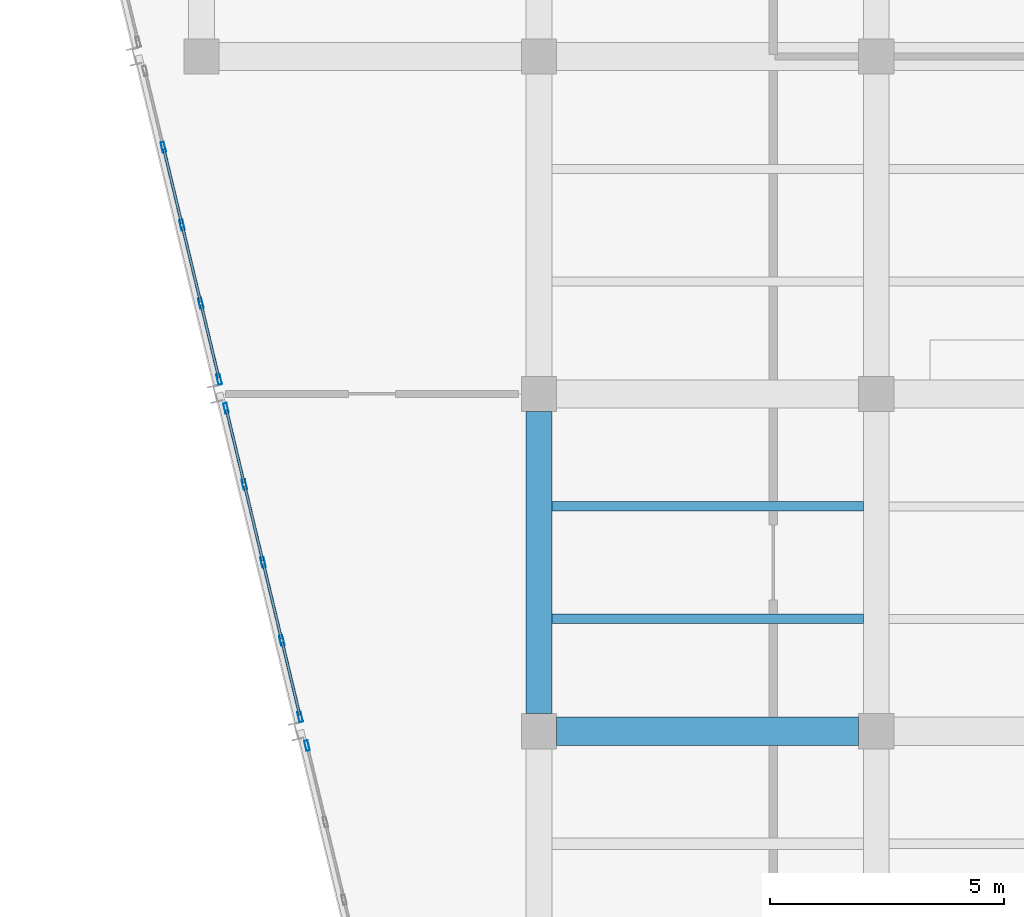
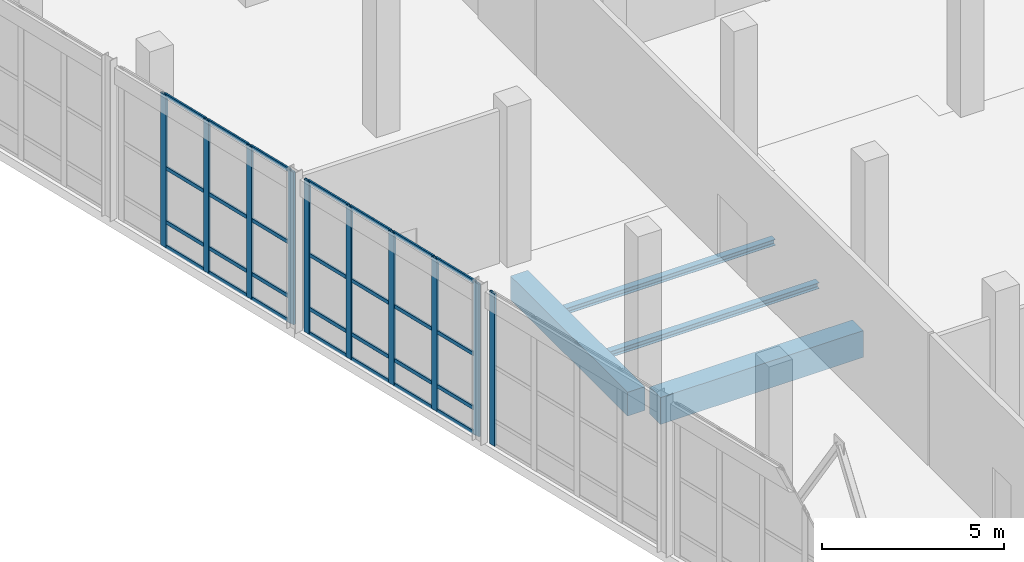
# One storey, part 75 of 137: 38 members, 4 beams, 3 elements without a shape of their own.
"""IFC4 building model written with IfcOpenShell, lengths in metres."""

from ifc_helpers import new_model, si_unit, direction, frame, origin, origin_2d, place, context, subcontext, project, spatial, rectangle, hollow_rectangle, i_section, extrude, material, material_profile, profile_set, type_object, element, aggregate, save


model = new_model("IFC4")

# Units and contexts
model_context = context("Model", 3, precision=1e-05, world=origin(), true_north=direction((0.0, 1.0)))
body_context = subcontext(model_context, "Body", "Model", "MODEL_VIEW")
ifc_project = project(units=[si_unit("LENGTHUNIT", "METRE"), si_unit("AREAUNIT", "SQUARE_METRE"), si_unit("VOLUMEUNIT", "CUBIC_METRE"), si_unit("PLANEANGLEUNIT", "RADIAN"), si_unit("MASSUNIT", "GRAM", prefix="KILO")], contexts=[model_context])

# Site, building, storey
site_placement = place(None, origin())
site = spatial("IfcSite", under=ifc_project, at=site_placement, CompositionType="ELEMENT")
building_placement = place(site_placement, origin())
building = spatial("IfcBuilding", under=site, at=building_placement, Name="Kalmorath City Hall", CompositionType="ELEMENT")
storey_placement = place(building_placement, origin())
storey = spatial("IfcBuildingStorey", under=building, at=storey_placement, Name="L00", CompositionType="ELEMENT", Elevation=0.0)

# Beams
ifc_material_1 = material(Name="Concrete C40/50", Category="concrete")
ifc_material_profile_1 = material_profile(ifc_material_1, rectangle(XDim=0.550048828125, YDim=0.800048828125, at=origin_2d()), Name="RC-BM-550X800")
ifc_profile_set_1 = profile_set([ifc_material_profile_1], Name="Concrete C40/50")
beam_type_1 = type_object("IfcBeamType", Name="Concrete floor girder 550x800", PredefinedType="BEAM", material=ifc_profile_set_1)
beam_1_placement = place(storey_placement, frame((136.800048828125, 65.175048828125, -0.7041015625), z_axis=(0.0, 1.0, 0.0), x_axis=(-1.0, 0.0, 0.0)))
element("IfcBeam", 1, at=beam_1_placement, inside=storey, type_object=beam_type_1, Name="L00 girder CB2 Y20/10-11", PredefinedType="BEAM", context=body_context, shape_type="SweptSolid", body=[
    extrude(rectangle(XDim=0.550048828125, YDim=0.800048828125, at=origin_2d()), origin(), (0.0, 0.0, 1.0), 6.449951171875),
])
ifc_material_2 = material(Name="Concrete C40/50", Category="concrete")
ifc_material_profile_2 = material_profile(ifc_material_2, rectangle(XDim=0.60009765625, YDim=0.89990234375, at=origin_2d()), Name="RC-BM-600X900")
ifc_profile_set_2 = profile_set([ifc_material_profile_2], Name="Concrete C40/50")
beam_type_2 = type_object("IfcBeamType", Name="Concrete floor girder 600x900", PredefinedType="BEAM", material=ifc_profile_set_2)
beam_2_placement = place(storey_placement, frame((137.175048828125, 64.800048828125, -0.75390625), z_axis=(1.0, 0.0, 0.0), x_axis=(0.0, 1.0, 0.0)))
element("IfcBeam", 2, at=beam_2_placement, inside=storey, type_object=beam_type_2, Name="L00 girder CB1 X20-21/10", PredefinedType="BEAM", context=body_context, shape_type="SweptSolid", body=[
    extrude(rectangle(XDim=0.60009765625, YDim=0.89990234375, at=origin_2d()), origin(), (0.0, 0.0, 1.0), 6.449951171875),
])

# Curtain wall, members
ifc_material_3 = material(Name="Anodised aluminium and laminated glass", Category="aluminium")
curtain_wall_type = type_object("IfcCurtainWallType", Name="Unitised hurricane curtain wall 6849x5120 M1850", PredefinedType="NOTDEFINED", material=ifc_material_3)
curtain_wall_1_placement = place(storey_placement, origin())
curtain_wall_1 = element("IfcCurtainWall", 3, at=curtain_wall_1_placement, inside=storey, type_object=curtain_wall_type, Name="L00 curtain wall CW-68X51M18 #44", PredefinedType="NOTDEFINED")
ifc_material_4 = material(Name="Anodised aluminium framing", Category="aluminium")
ifc_material_profile_3 = material_profile(ifc_material_4, hollow_rectangle(XDim=0.06005859375, YDim=0.1298828125, WallThickness=0.00341796875, InnerFilletRadius=0.00341796875, OuterFilletRadius=0.007080078125, at=origin_2d()), Name="ALU-TRN-130X60X3.5")
ifc_profile_set_3 = profile_set([ifc_material_profile_3], Name="Anodised aluminium framing")
member_type_1 = type_object("IfcMemberType", Name="Curtain-wall courtyard transom 130x60", PredefinedType="USERDEFINED", material=ifc_profile_set_3)
member_1_placement = place(storey_placement, frame((131.6962890625, 65.142822265625, 0.030029296875), z_axis=(-0.233476838675, 0.972362363423, 0.0), x_axis=(-0.972362363423, -0.233476838675, 0.0)))
member_1 = element("IfcMember", 4, at=member_1_placement, type_object=member_type_1, Name="CW-68X51M18 transom 1.1", ObjectType="TRANSOM", PredefinedType="USERDEFINED", context=body_context, shape_type="SweptSolid", body=[
    extrude(hollow_rectangle(XDim=0.06005859375, YDim=0.1298828125, WallThickness=0.00341796875, InnerFilletRadius=0.00341796875, OuterFilletRadius=0.007080078125, at=origin_2d()), origin(), (0.0, 0.0, 1.0), 1.599853515625),
])
member_2_placement = place(storey_placement, frame((131.6962890625, 65.142822265625, 0.85009765625), z_axis=(-0.233476838675, 0.972362363423, 0.0), x_axis=(-0.972362363423, -0.233476838675, 0.0)))
member_2 = element("IfcMember", 5, at=member_2_placement, type_object=member_type_1, Name="CW-68X51M18 transom 1.2", ObjectType="TRANSOM", PredefinedType="USERDEFINED", context=body_context, shape_type="SweptSolid", body=[
    extrude(hollow_rectangle(XDim=0.06005859375, YDim=0.1298828125, WallThickness=0.00341796875, InnerFilletRadius=0.00341796875, OuterFilletRadius=0.007080078125, at=origin_2d()), origin(), (0.0, 0.0, 1.0), 1.599853515625),
])
member_3_placement = place(storey_placement, frame((131.6962890625, 65.142822265625, 2.662109375), z_axis=(-0.233476838675, 0.972362363423, 0.0), x_axis=(-0.972362363423, -0.233476838675, 0.0)))
member_3 = element("IfcMember", 6, at=member_3_placement, type_object=member_type_1, Name="CW-68X51M18 transom 1.3", ObjectType="TRANSOM", PredefinedType="USERDEFINED", context=body_context, shape_type="SweptSolid", body=[
    extrude(hollow_rectangle(XDim=0.06005859375, YDim=0.1298828125, WallThickness=0.00341796875, InnerFilletRadius=0.00341796875, OuterFilletRadius=0.007080078125, at=origin_2d()), origin(), (0.0, 0.0, 1.0), 1.599853515625),
])
member_4_placement = place(storey_placement, frame((131.6962890625, 65.142822265625, 5.090087890625), z_axis=(-0.233476838675, 0.972362363423, 0.0), x_axis=(-0.972362363423, -0.233476838675, 0.0)))
member_4 = element("IfcMember", 7, at=member_4_placement, type_object=member_type_1, Name="CW-68X51M18 transom 1.4", ObjectType="TRANSOM", PredefinedType="USERDEFINED", context=body_context, shape_type="SweptSolid", body=[
    extrude(hollow_rectangle(XDim=0.06005859375, YDim=0.1298828125, WallThickness=0.00341796875, InnerFilletRadius=0.00341796875, OuterFilletRadius=0.007080078125, at=origin_2d()), origin(), (0.0, 0.0, 1.0), 1.599853515625),
])
member_5_placement = place(storey_placement, frame((131.305419921875, 66.771484375, 0.030029296875), z_axis=(-0.233508300868, 0.972354808404, 0.0), x_axis=(-0.972354808404, -0.233508300868, 0.0)))
member_5 = element("IfcMember", 8, at=member_5_placement, type_object=member_type_1, Name="CW-68X51M18 transom 2.1", ObjectType="TRANSOM", PredefinedType="USERDEFINED", context=body_context, shape_type="SweptSolid", body=[
    extrude(hollow_rectangle(XDim=0.06005859375, YDim=0.1298828125, WallThickness=0.00341796875, InnerFilletRadius=0.00341796875, OuterFilletRadius=0.007080078125, at=origin_2d()), origin(), (0.0, 0.0, 1.0), 1.63720703125),
])
member_6_placement = place(storey_placement, frame((131.305419921875, 66.771484375, 0.85009765625), z_axis=(-0.233508300868, 0.972354808404, 0.0), x_axis=(-0.972354808404, -0.233508300868, 0.0)))
member_6 = element("IfcMember", 9, at=member_6_placement, type_object=member_type_1, Name="CW-68X51M18 transom 2.2", ObjectType="TRANSOM", PredefinedType="USERDEFINED", context=body_context, shape_type="SweptSolid", body=[
    extrude(hollow_rectangle(XDim=0.06005859375, YDim=0.1298828125, WallThickness=0.00341796875, InnerFilletRadius=0.00341796875, OuterFilletRadius=0.007080078125, at=origin_2d()), origin(), (0.0, 0.0, 1.0), 1.63720703125),
])
member_7_placement = place(storey_placement, frame((131.305419921875, 66.771484375, 2.662109375), z_axis=(-0.233508300868, 0.972354808404, 0.0), x_axis=(-0.972354808404, -0.233508300868, 0.0)))
member_7 = element("IfcMember", 10, at=member_7_placement, type_object=member_type_1, Name="CW-68X51M18 transom 2.3", ObjectType="TRANSOM", PredefinedType="USERDEFINED", context=body_context, shape_type="SweptSolid", body=[
    extrude(hollow_rectangle(XDim=0.06005859375, YDim=0.1298828125, WallThickness=0.00341796875, InnerFilletRadius=0.00341796875, OuterFilletRadius=0.007080078125, at=origin_2d()), origin(), (0.0, 0.0, 1.0), 1.63720703125),
])
member_8_placement = place(storey_placement, frame((131.305419921875, 66.771484375, 5.090087890625), z_axis=(-0.233508300868, 0.972354808404, 0.0), x_axis=(-0.972354808404, -0.233508300868, 0.0)))
member_8 = element("IfcMember", 11, at=member_8_placement, type_object=member_type_1, Name="CW-68X51M18 transom 2.4", ObjectType="TRANSOM", PredefinedType="USERDEFINED", context=body_context, shape_type="SweptSolid", body=[
    extrude(hollow_rectangle(XDim=0.06005859375, YDim=0.1298828125, WallThickness=0.00341796875, InnerFilletRadius=0.00341796875, OuterFilletRadius=0.007080078125, at=origin_2d()), origin(), (0.0, 0.0, 1.0), 1.63720703125),
])
member_9_placement = place(storey_placement, frame((130.905517578125, 68.4365234375, 0.030029296875), z_axis=(-0.233367312665, 0.972388655518, 0.0), x_axis=(-0.972388655518, -0.233367312665, 0.0)))
member_9 = element("IfcMember", 12, at=member_9_placement, type_object=member_type_1, Name="CW-68X51M18 transom 3.1", ObjectType="TRANSOM", PredefinedType="USERDEFINED", context=body_context, shape_type="SweptSolid", body=[
    extrude(hollow_rectangle(XDim=0.06005859375, YDim=0.1298828125, WallThickness=0.00341796875, InnerFilletRadius=0.00341796875, OuterFilletRadius=0.007080078125, at=origin_2d()), origin(), (0.0, 0.0, 1.0), 1.63720703125),
])
member_10_placement = place(storey_placement, frame((130.905517578125, 68.4365234375, 0.85009765625), z_axis=(-0.233367312665, 0.972388655518, 0.0), x_axis=(-0.972388655518, -0.233367312665, 0.0)))
member_10 = element("IfcMember", 13, at=member_10_placement, type_object=member_type_1, Name="CW-68X51M18 transom 3.2", ObjectType="TRANSOM", PredefinedType="USERDEFINED", context=body_context, shape_type="SweptSolid", body=[
    extrude(hollow_rectangle(XDim=0.06005859375, YDim=0.1298828125, WallThickness=0.00341796875, InnerFilletRadius=0.00341796875, OuterFilletRadius=0.007080078125, at=origin_2d()), origin(), (0.0, 0.0, 1.0), 1.63720703125),
])
member_11_placement = place(storey_placement, frame((130.905517578125, 68.4365234375, 2.662109375), z_axis=(-0.233367312665, 0.972388655518, 0.0), x_axis=(-0.972388655518, -0.233367312665, 0.0)))
member_11 = element("IfcMember", 14, at=member_11_placement, type_object=member_type_1, Name="CW-68X51M18 transom 3.3", ObjectType="TRANSOM", PredefinedType="USERDEFINED", context=body_context, shape_type="SweptSolid", body=[
    extrude(hollow_rectangle(XDim=0.06005859375, YDim=0.1298828125, WallThickness=0.00341796875, InnerFilletRadius=0.00341796875, OuterFilletRadius=0.007080078125, at=origin_2d()), origin(), (0.0, 0.0, 1.0), 1.63720703125),
])
member_12_placement = place(storey_placement, frame((130.905517578125, 68.4365234375, 5.090087890625), z_axis=(-0.233367312665, 0.972388655518, 0.0), x_axis=(-0.972388655518, -0.233367312665, 0.0)))
member_12 = element("IfcMember", 15, at=member_12_placement, type_object=member_type_1, Name="CW-68X51M18 transom 3.4", ObjectType="TRANSOM", PredefinedType="USERDEFINED", context=body_context, shape_type="SweptSolid", body=[
    extrude(hollow_rectangle(XDim=0.06005859375, YDim=0.1298828125, WallThickness=0.00341796875, InnerFilletRadius=0.00341796875, OuterFilletRadius=0.007080078125, at=origin_2d()), origin(), (0.0, 0.0, 1.0), 1.63720703125),
])
member_13_placement = place(storey_placement, frame((130.505859375, 70.1015625, 0.030029296875), z_axis=(-0.233511487372, 0.972354043168, 0.0), x_axis=(-0.972354043168, -0.233511487372, 0.0)))
member_13 = element("IfcMember", 16, at=member_13_placement, type_object=member_type_1, Name="CW-68X51M18 transom 4.1", ObjectType="TRANSOM", PredefinedType="USERDEFINED", context=body_context, shape_type="SweptSolid", body=[
    extrude(hollow_rectangle(XDim=0.06005859375, YDim=0.1298828125, WallThickness=0.00341796875, InnerFilletRadius=0.00341796875, OuterFilletRadius=0.007080078125, at=origin_2d()), origin(), (0.0, 0.0, 1.0), 1.599609375),
])
member_14_placement = place(storey_placement, frame((130.505859375, 70.1015625, 0.85009765625), z_axis=(-0.233511487372, 0.972354043168, 0.0), x_axis=(-0.972354043168, -0.233511487372, 0.0)))
member_14 = element("IfcMember", 17, at=member_14_placement, type_object=member_type_1, Name="CW-68X51M18 transom 4.2", ObjectType="TRANSOM", PredefinedType="USERDEFINED", context=body_context, shape_type="SweptSolid", body=[
    extrude(hollow_rectangle(XDim=0.06005859375, YDim=0.1298828125, WallThickness=0.00341796875, InnerFilletRadius=0.00341796875, OuterFilletRadius=0.007080078125, at=origin_2d()), origin(), (0.0, 0.0, 1.0), 1.599609375),
])
member_15_placement = place(storey_placement, frame((130.505859375, 70.1015625, 2.662109375), z_axis=(-0.233511487372, 0.972354043168, 0.0), x_axis=(-0.972354043168, -0.233511487372, 0.0)))
member_15 = element("IfcMember", 18, at=member_15_placement, type_object=member_type_1, Name="CW-68X51M18 transom 4.3", ObjectType="TRANSOM", PredefinedType="USERDEFINED", context=body_context, shape_type="SweptSolid", body=[
    extrude(hollow_rectangle(XDim=0.06005859375, YDim=0.1298828125, WallThickness=0.00341796875, InnerFilletRadius=0.00341796875, OuterFilletRadius=0.007080078125, at=origin_2d()), origin(), (0.0, 0.0, 1.0), 1.599609375),
])
member_16_placement = place(storey_placement, frame((130.505859375, 70.1015625, 5.090087890625), z_axis=(-0.233511487372, 0.972354043168, 0.0), x_axis=(-0.972354043168, -0.233511487372, 0.0)))
member_16 = element("IfcMember", 19, at=member_16_placement, type_object=member_type_1, Name="CW-68X51M18 transom 4.4", ObjectType="TRANSOM", PredefinedType="USERDEFINED", context=body_context, shape_type="SweptSolid", body=[
    extrude(hollow_rectangle(XDim=0.06005859375, YDim=0.1298828125, WallThickness=0.00341796875, InnerFilletRadius=0.00341796875, OuterFilletRadius=0.007080078125, at=origin_2d()), origin(), (0.0, 0.0, 1.0), 1.599609375),
])

curtain_wall_2_placement = place(storey_placement, origin())
curtain_wall_2 = element("IfcCurtainWall", 20, at=curtain_wall_2_placement, inside=storey, type_object=curtain_wall_type, Name="L00 curtain wall CW-68X51M18 #45", PredefinedType="NOTDEFINED")
member_17_placement = place(storey_placement, frame((129.9677734375, 72.343017578125, 0.030029296875), z_axis=(-0.233511487372, 0.972354043168, 0.0), x_axis=(-0.972354043168, -0.233511487372, 0.0)))
member_17 = element("IfcMember", 21, at=member_17_placement, type_object=member_type_1, Name="CW-68X51M18 transom 1.1", ObjectType="TRANSOM", PredefinedType="USERDEFINED", context=body_context, shape_type="SweptSolid", body=[
    extrude(hollow_rectangle(XDim=0.06005859375, YDim=0.1298828125, WallThickness=0.00341796875, InnerFilletRadius=0.00341796875, OuterFilletRadius=0.007080078125, at=origin_2d()), origin(), (0.0, 0.0, 1.0), 1.599609375),
])
member_18_placement = place(storey_placement, frame((129.9677734375, 72.343017578125, 0.85009765625), z_axis=(-0.233511487372, 0.972354043168, 0.0), x_axis=(-0.972354043168, -0.233511487372, 0.0)))
member_18 = element("IfcMember", 22, at=member_18_placement, type_object=member_type_1, Name="CW-68X51M18 transom 1.2", ObjectType="TRANSOM", PredefinedType="USERDEFINED", context=body_context, shape_type="SweptSolid", body=[
    extrude(hollow_rectangle(XDim=0.06005859375, YDim=0.1298828125, WallThickness=0.00341796875, InnerFilletRadius=0.00341796875, OuterFilletRadius=0.007080078125, at=origin_2d()), origin(), (0.0, 0.0, 1.0), 1.599609375),
])
member_19_placement = place(storey_placement, frame((129.9677734375, 72.343017578125, 2.662109375), z_axis=(-0.233511487372, 0.972354043168, 0.0), x_axis=(-0.972354043168, -0.233511487372, 0.0)))
member_19 = element("IfcMember", 23, at=member_19_placement, type_object=member_type_1, Name="CW-68X51M18 transom 1.3", ObjectType="TRANSOM", PredefinedType="USERDEFINED", context=body_context, shape_type="SweptSolid", body=[
    extrude(hollow_rectangle(XDim=0.06005859375, YDim=0.1298828125, WallThickness=0.00341796875, InnerFilletRadius=0.00341796875, OuterFilletRadius=0.007080078125, at=origin_2d()), origin(), (0.0, 0.0, 1.0), 1.599609375),
])
member_20_placement = place(storey_placement, frame((129.9677734375, 72.343017578125, 5.090087890625), z_axis=(-0.233511487372, 0.972354043168, 0.0), x_axis=(-0.972354043168, -0.233511487372, 0.0)))
member_20 = element("IfcMember", 24, at=member_20_placement, type_object=member_type_1, Name="CW-68X51M18 transom 1.4", ObjectType="TRANSOM", PredefinedType="USERDEFINED", context=body_context, shape_type="SweptSolid", body=[
    extrude(hollow_rectangle(XDim=0.06005859375, YDim=0.1298828125, WallThickness=0.00341796875, InnerFilletRadius=0.00341796875, OuterFilletRadius=0.007080078125, at=origin_2d()), origin(), (0.0, 0.0, 1.0), 1.599609375),
])
member_21_placement = place(storey_placement, frame((129.57666015625, 73.971435546875, 0.030029296875), z_axis=(-0.233508300868, 0.972354808404, 0.0), x_axis=(-0.972354808404, -0.233508300868, 0.0)))
member_21 = element("IfcMember", 25, at=member_21_placement, type_object=member_type_1, Name="CW-68X51M18 transom 2.1", ObjectType="TRANSOM", PredefinedType="USERDEFINED", context=body_context, shape_type="SweptSolid", body=[
    extrude(hollow_rectangle(XDim=0.06005859375, YDim=0.1298828125, WallThickness=0.00341796875, InnerFilletRadius=0.00341796875, OuterFilletRadius=0.007080078125, at=origin_2d()), origin(), (0.0, 0.0, 1.0), 1.63720703125),
])
member_22_placement = place(storey_placement, frame((129.57666015625, 73.971435546875, 0.85009765625), z_axis=(-0.233508300868, 0.972354808404, 0.0), x_axis=(-0.972354808404, -0.233508300868, 0.0)))
member_22 = element("IfcMember", 26, at=member_22_placement, type_object=member_type_1, Name="CW-68X51M18 transom 2.2", ObjectType="TRANSOM", PredefinedType="USERDEFINED", context=body_context, shape_type="SweptSolid", body=[
    extrude(hollow_rectangle(XDim=0.06005859375, YDim=0.1298828125, WallThickness=0.00341796875, InnerFilletRadius=0.00341796875, OuterFilletRadius=0.007080078125, at=origin_2d()), origin(), (0.0, 0.0, 1.0), 1.63720703125),
])
member_23_placement = place(storey_placement, frame((129.57666015625, 73.971435546875, 2.662109375), z_axis=(-0.233508300868, 0.972354808404, 0.0), x_axis=(-0.972354808404, -0.233508300868, 0.0)))
member_23 = element("IfcMember", 27, at=member_23_placement, type_object=member_type_1, Name="CW-68X51M18 transom 2.3", ObjectType="TRANSOM", PredefinedType="USERDEFINED", context=body_context, shape_type="SweptSolid", body=[
    extrude(hollow_rectangle(XDim=0.06005859375, YDim=0.1298828125, WallThickness=0.00341796875, InnerFilletRadius=0.00341796875, OuterFilletRadius=0.007080078125, at=origin_2d()), origin(), (0.0, 0.0, 1.0), 1.63720703125),
])
member_24_placement = place(storey_placement, frame((129.57666015625, 73.971435546875, 5.090087890625), z_axis=(-0.233508300868, 0.972354808404, 0.0), x_axis=(-0.972354808404, -0.233508300868, 0.0)))
member_24 = element("IfcMember", 28, at=member_24_placement, type_object=member_type_1, Name="CW-68X51M18 transom 2.4", ObjectType="TRANSOM", PredefinedType="USERDEFINED", context=body_context, shape_type="SweptSolid", body=[
    extrude(hollow_rectangle(XDim=0.06005859375, YDim=0.1298828125, WallThickness=0.00341796875, InnerFilletRadius=0.00341796875, OuterFilletRadius=0.007080078125, at=origin_2d()), origin(), (0.0, 0.0, 1.0), 1.63720703125),
])
member_25_placement = place(storey_placement, frame((129.177001953125, 75.636474609375, 0.030029296875), z_axis=(-0.233508300868, 0.972354808404, 0.0), x_axis=(-0.972354808404, -0.233508300868, 0.0)))
member_25 = element("IfcMember", 29, at=member_25_placement, type_object=member_type_1, Name="CW-68X51M18 transom 3.1", ObjectType="TRANSOM", PredefinedType="USERDEFINED", context=body_context, shape_type="SweptSolid", body=[
    extrude(hollow_rectangle(XDim=0.06005859375, YDim=0.1298828125, WallThickness=0.00341796875, InnerFilletRadius=0.00341796875, OuterFilletRadius=0.007080078125, at=origin_2d()), origin(), (0.0, 0.0, 1.0), 1.63720703125),
])
member_26_placement = place(storey_placement, frame((129.177001953125, 75.636474609375, 0.85009765625), z_axis=(-0.233508300868, 0.972354808404, 0.0), x_axis=(-0.972354808404, -0.233508300868, 0.0)))
member_26 = element("IfcMember", 30, at=member_26_placement, type_object=member_type_1, Name="CW-68X51M18 transom 3.2", ObjectType="TRANSOM", PredefinedType="USERDEFINED", context=body_context, shape_type="SweptSolid", body=[
    extrude(hollow_rectangle(XDim=0.06005859375, YDim=0.1298828125, WallThickness=0.00341796875, InnerFilletRadius=0.00341796875, OuterFilletRadius=0.007080078125, at=origin_2d()), origin(), (0.0, 0.0, 1.0), 1.63720703125),
])
member_27_placement = place(storey_placement, frame((129.177001953125, 75.636474609375, 2.662109375), z_axis=(-0.233508300868, 0.972354808404, 0.0), x_axis=(-0.972354808404, -0.233508300868, 0.0)))
member_27 = element("IfcMember", 31, at=member_27_placement, type_object=member_type_1, Name="CW-68X51M18 transom 3.3", ObjectType="TRANSOM", PredefinedType="USERDEFINED", context=body_context, shape_type="SweptSolid", body=[
    extrude(hollow_rectangle(XDim=0.06005859375, YDim=0.1298828125, WallThickness=0.00341796875, InnerFilletRadius=0.00341796875, OuterFilletRadius=0.007080078125, at=origin_2d()), origin(), (0.0, 0.0, 1.0), 1.63720703125),
])
member_28_placement = place(storey_placement, frame((129.177001953125, 75.636474609375, 5.090087890625), z_axis=(-0.233508300868, 0.972354808404, 0.0), x_axis=(-0.972354808404, -0.233508300868, 0.0)))
member_28 = element("IfcMember", 32, at=member_28_placement, type_object=member_type_1, Name="CW-68X51M18 transom 3.4", ObjectType="TRANSOM", PredefinedType="USERDEFINED", context=body_context, shape_type="SweptSolid", body=[
    extrude(hollow_rectangle(XDim=0.06005859375, YDim=0.1298828125, WallThickness=0.00341796875, InnerFilletRadius=0.00341796875, OuterFilletRadius=0.007080078125, at=origin_2d()), origin(), (0.0, 0.0, 1.0), 1.63720703125),
])

# Curtain wall, member
curtain_wall_3_placement = place(storey_placement, origin())
curtain_wall_3 = element("IfcCurtainWall", 33, at=curtain_wall_3_placement, inside=storey, type_object=curtain_wall_type, Name="L00 curtain wall CW-68X51M18 #43", PredefinedType="NOTDEFINED")
ifc_material_5 = material(Name="Anodised aluminium framing", Category="aluminium")
ifc_material_profile_4 = material_profile(ifc_material_5, hollow_rectangle(XDim=0.074951171875, YDim=0.219970703125, WallThickness=0.00390625, InnerFilletRadius=0.00390625, OuterFilletRadius=0.008056640625, at=origin_2d()), Name="ALU-MUL-220X75X4")
ifc_profile_set_4 = profile_set([ifc_material_profile_4], Name="Anodised aluminium framing")
member_type_2 = type_object("IfcMemberType", Name="Curtain-wall primary mullion 220x75", PredefinedType="MULLION", material=ifc_profile_set_4)
member_29_placement = place(storey_placement, frame((131.852294921875, 64.49365234375, 0.0), z_axis=(0.0, 0.0, 1.0), x_axis=(-0.97236741933, -0.233455781305, 0.0)))
member_29 = element("IfcMember", 34, at=member_29_placement, type_object=member_type_2, Name="CW-68X51M18 mullion 5", PredefinedType="MULLION", context=body_context, shape_type="SweptSolid", body=[
    extrude(hollow_rectangle(XDim=0.074951171875, YDim=0.219970703125, WallThickness=0.00390625, InnerFilletRadius=0.00390625, OuterFilletRadius=0.008056640625, at=origin_2d()), origin(), (0.0, 0.0, 1.0), 5.1201171875),
])
aggregate(curtain_wall_3, [member_29])

# Member
member_30_placement = place(storey_placement, frame((131.705078125, 65.1064453125, 0.0), z_axis=(0.0, 0.0, 1.0), x_axis=(-0.972370733538, -0.233441976856, 0.0)))
member_30 = element("IfcMember", 35, at=member_30_placement, type_object=member_type_2, Name="CW-68X51M18 mullion 1", PredefinedType="MULLION", context=body_context, shape_type="SweptSolid", body=[
    extrude(hollow_rectangle(XDim=0.074951171875, YDim=0.219970703125, WallThickness=0.00390625, InnerFilletRadius=0.00390625, OuterFilletRadius=0.008056640625, at=origin_2d()), origin(), (0.0, 0.0, 1.0), 5.1201171875),
])

member_31_placement = place(storey_placement, frame((131.31396484375, 66.735107421875, 0.0), z_axis=(0.0, 0.0, 1.0), x_axis=(-0.972370733538, -0.233441976856, 0.0)))
member_31 = element("IfcMember", 36, at=member_31_placement, type_object=member_type_2, Name="CW-68X51M18 mullion 2", PredefinedType="MULLION", context=body_context, shape_type="SweptSolid", body=[
    extrude(hollow_rectangle(XDim=0.074951171875, YDim=0.219970703125, WallThickness=0.00390625, InnerFilletRadius=0.00390625, OuterFilletRadius=0.008056640625, at=origin_2d()), origin(), (0.0, 0.0, 1.0), 5.1201171875),
])

member_32_placement = place(storey_placement, frame((130.914306640625, 68.39990234375, 0.0), z_axis=(0.0, 0.0, 1.0), x_axis=(-0.972370733538, -0.233441976856, 0.0)))
member_32 = element("IfcMember", 37, at=member_32_placement, type_object=member_type_2, Name="CW-68X51M18 mullion 3", PredefinedType="MULLION", context=body_context, shape_type="SweptSolid", body=[
    extrude(hollow_rectangle(XDim=0.074951171875, YDim=0.219970703125, WallThickness=0.00390625, InnerFilletRadius=0.00390625, OuterFilletRadius=0.008056640625, at=origin_2d()), origin(), (0.0, 0.0, 1.0), 5.1201171875),
])

member_33_placement = place(storey_placement, frame((130.5146484375, 70.06494140625, 0.0), z_axis=(0.0, 0.0, 1.0), x_axis=(-0.972370733538, -0.233441976856, 0.0)))
member_33 = element("IfcMember", 38, at=member_33_placement, type_object=member_type_2, Name="CW-68X51M18 mullion 4", PredefinedType="MULLION", context=body_context, shape_type="SweptSolid", body=[
    extrude(hollow_rectangle(XDim=0.074951171875, YDim=0.219970703125, WallThickness=0.00390625, InnerFilletRadius=0.00390625, OuterFilletRadius=0.008056640625, at=origin_2d()), origin(), (0.0, 0.0, 1.0), 5.1201171875),
])

member_34_placement = place(storey_placement, frame((130.12353515625, 71.693603515625, 0.0), z_axis=(0.0, 0.0, 1.0), x_axis=(-0.972370733538, -0.233441976856, 0.0)))
member_34 = element("IfcMember", 39, at=member_34_placement, type_object=member_type_2, Name="CW-68X51M18 mullion 5", PredefinedType="MULLION", context=body_context, shape_type="SweptSolid", body=[
    extrude(hollow_rectangle(XDim=0.074951171875, YDim=0.219970703125, WallThickness=0.00390625, InnerFilletRadius=0.00390625, OuterFilletRadius=0.008056640625, at=origin_2d()), origin(), (0.0, 0.0, 1.0), 5.1201171875),
])

aggregate(curtain_wall_1, [member_30, member_31, member_32, member_33, member_34, member_1, member_2, member_3, member_4, member_5, member_6, member_7, member_8, member_9, member_10, member_11, member_12, member_13, member_14, member_15, member_16])

member_35_placement = place(storey_placement, frame((129.9765625, 72.306396484375, 0.0), z_axis=(0.0, 0.0, 1.0), x_axis=(-0.97236741933, -0.233455781305, 0.0)))
member_35 = element("IfcMember", 40, at=member_35_placement, type_object=member_type_2, Name="CW-68X51M18 mullion 1", PredefinedType="MULLION", context=body_context, shape_type="SweptSolid", body=[
    extrude(hollow_rectangle(XDim=0.074951171875, YDim=0.219970703125, WallThickness=0.00390625, InnerFilletRadius=0.00390625, OuterFilletRadius=0.008056640625, at=origin_2d()), origin(), (0.0, 0.0, 1.0), 5.1201171875),
])

member_36_placement = place(storey_placement, frame((129.58544921875, 73.93505859375, 0.0), z_axis=(0.0, 0.0, 1.0), x_axis=(-0.97236741933, -0.233455781305, 0.0)))
member_36 = element("IfcMember", 41, at=member_36_placement, type_object=member_type_2, Name="CW-68X51M18 mullion 2", PredefinedType="MULLION", context=body_context, shape_type="SweptSolid", body=[
    extrude(hollow_rectangle(XDim=0.074951171875, YDim=0.219970703125, WallThickness=0.00390625, InnerFilletRadius=0.00390625, OuterFilletRadius=0.008056640625, at=origin_2d()), origin(), (0.0, 0.0, 1.0), 5.1201171875),
])

member_37_placement = place(storey_placement, frame((129.185791015625, 75.60009765625, 0.0), z_axis=(0.0, 0.0, 1.0), x_axis=(-0.97236741933, -0.233455781305, 0.0)))
member_37 = element("IfcMember", 42, at=member_37_placement, type_object=member_type_2, Name="CW-68X51M18 mullion 3", PredefinedType="MULLION", context=body_context, shape_type="SweptSolid", body=[
    extrude(hollow_rectangle(XDim=0.074951171875, YDim=0.219970703125, WallThickness=0.00390625, InnerFilletRadius=0.00390625, OuterFilletRadius=0.008056640625, at=origin_2d()), origin(), (0.0, 0.0, 1.0), 5.1201171875),
])

member_38_placement = place(storey_placement, frame((128.785888671875, 77.264892578125, 0.0), z_axis=(0.0, 0.0, 1.0), x_axis=(-0.97236741933, -0.233455781305, 0.0)))
member_38 = element("IfcMember", 43, at=member_38_placement, type_object=member_type_2, Name="CW-68X51M18 mullion 4", PredefinedType="MULLION", context=body_context, shape_type="SweptSolid", body=[
    extrude(hollow_rectangle(XDim=0.074951171875, YDim=0.219970703125, WallThickness=0.00390625, InnerFilletRadius=0.00390625, OuterFilletRadius=0.008056640625, at=origin_2d()), origin(), (0.0, 0.0, 1.0), 5.1201171875),
])

aggregate(curtain_wall_2, [member_35, member_36, member_37, member_38, member_17, member_18, member_19, member_20, member_21, member_22, member_23, member_24, member_25, member_26, member_27, member_28])

# Beams
ifc_material_6 = material(Name="Steel ASTM A992 Grade 50", Category="steel")
ifc_material_profile_5 = material_profile(ifc_material_6, i_section(OverallWidth=0.202880859375, OverallDepth=0.202880859375, WebThickness=0.007080078125, FlangeThickness=0.010986328125, FilletRadius=0.010986328125, at=origin_2d()), Name="W8X31")
ifc_profile_set_5 = profile_set([ifc_material_profile_5], Name="Steel ASTM A992 Grade 50")
beam_type_3 = type_object("IfcBeamType", Name="Steel edge trimmer W8X31", PredefinedType="LINTEL", material=ifc_profile_set_5)
for number, where, z_axis, x_axis, name in (
    (44, (137.074951171875, 67.199951171875, -0.405517578125), (1.0, 0.0, 0.0), (0.0, 1.0, 0.0), "L00 joist SJ16 20.10.1"),
    (45, (137.074951171875, 69.60009765625, -0.405517578125), (1.0, 0.0, 0.0), (0.0, 1.0, 0.0), "L00 joist SJ16 20.10.2"),
):
    element("IfcBeam", number, at=place(storey_placement, frame(where, z_axis=z_axis, x_axis=x_axis)), inside=storey, type_object=beam_type_3, Name=name, PredefinedType="LINTEL", context=body_context, shape_type="SweptSolid", body=[
        extrude(i_section(OverallWidth=0.202880859375, OverallDepth=0.202880859375, WebThickness=0.007080078125, FlangeThickness=0.010986328125, FilletRadius=0.010986328125, at=origin_2d()), origin(), (0.0, 0.0, 1.0), 6.650146484375),
    ])

save(model, "model.ifc")
